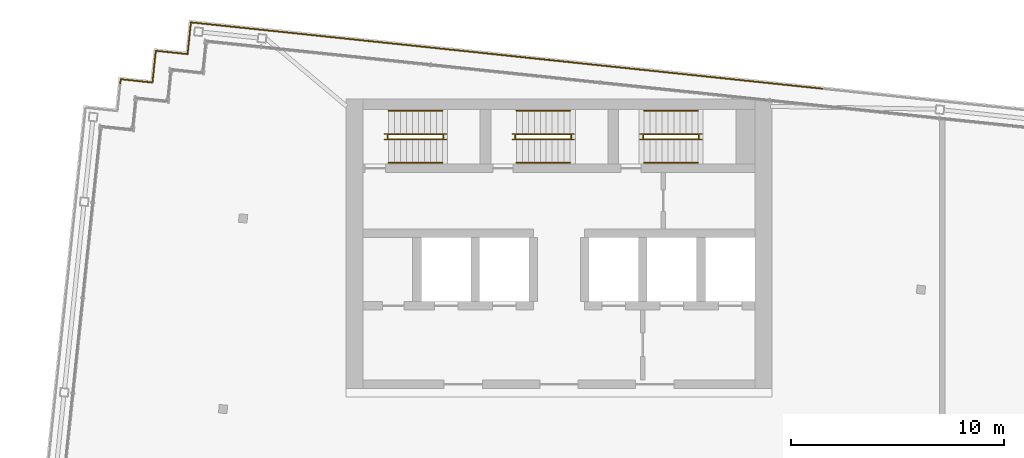
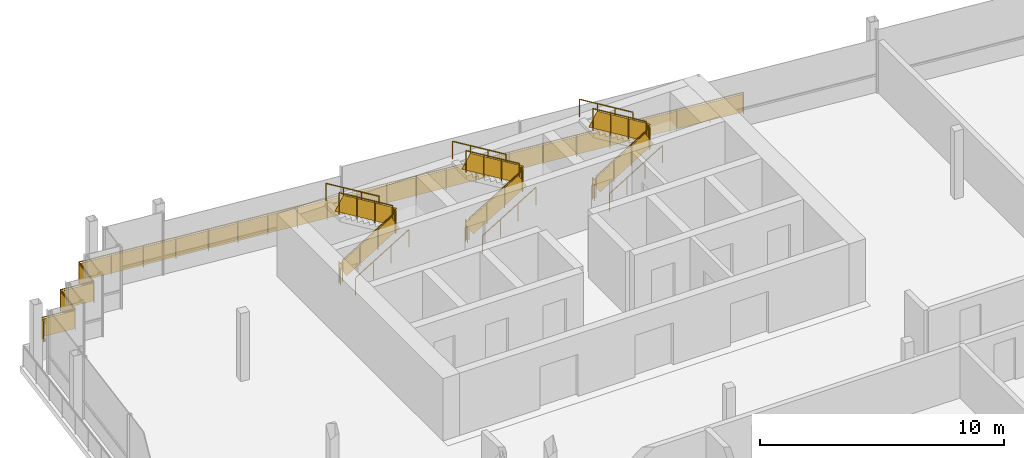
# One storey, part 14 of 15: 21 railings.
"""IFC4 building model written with IfcOpenShell, lengths in metres."""

import ifcopenshell
import ifcopenshell.guid

model = None  # the IFC model being written
_history = None  # IfcOwnerHistory: only IFC2X3 demands one
_inside = {}  # id of a spatial element -> (the spatial element, [elements in it])
_under = {}  # id of a project, library or spatial element -> (it, [spatial elements below it])
_declared = {}  # id of a project -> (the project, [libraries it declares])
_typed = {}  # id of a type object -> (the type object, [elements of that type])
_made_of = {}  # id of a material, layer set ... -> (it, [elements and type objects made of it])


def new_model(schema):
    """Start an empty IFC model of exactly this schema.

    Asked for "IFC4X3", IfcOpenShell would pick the latest addendum, in which some entities
    have other attributes; the version numbers below select the first issue.
    IFC2X3 requires an IfcOwnerHistory on every rooted entity: one is made here for all.
    """
    global model, _history
    if schema == "IFC4X3":
        model = ifcopenshell.file(schema_version=(4, 3, 0, 0))
    else:
        model = ifcopenshell.file(schema=schema)
    _inside.clear()
    _under.clear()
    _declared.clear()
    _typed.clear()
    _made_of.clear()
    _history = None
    if model.schema == "IFC2X3":
        org = make("IfcOrganization", Name="unknown")
        user = make(
            "IfcPersonAndOrganization",
            ThePerson=make("IfcPerson", FamilyName="unknown"),
            TheOrganization=org,
        )
        app = make(
            "IfcApplication",
            ApplicationDeveloper=org,
            Version="unknown",
            ApplicationFullName="unknown",
            ApplicationIdentifier="unknown",
        )
        _history = make(
            "IfcOwnerHistory",
            OwningUser=user,
            OwningApplication=app,
            ChangeAction="ADDED",
            CreationDate=0,
        )
    return model


def make(cls, **values):
    """One entity of the class cls with the attributes given. An attribute that is None is left unset."""
    return model.create_entity(
        cls, **{name: value for name, value in values.items() if value is not None}
    )


def rooted(cls, **values):
    """An entity with a GlobalId (a new one), such as an element, a storey or a relation."""
    return make(cls, GlobalId=ifcopenshell.guid.new(), OwnerHistory=_history, **values)


def si_unit(unit_type, name, prefix=None):
    """IfcSIUnit, for example si_unit("LENGTHUNIT", "METRE", prefix="MILLI")."""
    return make("IfcSIUnit", UnitType=unit_type, Prefix=prefix, Name=name)


def assignment(units):
    """IfcUnitAssignment: the units of a project."""
    return None if units is None else make("IfcUnitAssignment", Units=units)


def point(xyz):
    """IfcCartesianPoint."""
    return None if xyz is None else make("IfcCartesianPoint", Coordinates=xyz)


def direction(xyz):
    """IfcDirection."""
    return None if xyz is None else make("IfcDirection", DirectionRatios=xyz)


def frame(location, z_axis=None, x_axis=None):
    """IfcAxis2Placement3D, a coordinate frame: its origin and axes. An axis left out is left unset."""
    return make(
        "IfcAxis2Placement3D",
        Location=point(location),
        Axis=direction(z_axis),
        RefDirection=direction(x_axis),
    )


def frame_2d(location, x_axis=None):
    """IfcAxis2Placement2D, a coordinate frame in the plane: its origin and x axis."""
    return make(
        "IfcAxis2Placement2D", Location=point(location), RefDirection=direction(x_axis)
    )


def origin():
    """The frame at (0, 0, 0) with its axes left unset."""
    return frame((0.0, 0.0, 0.0))


def origin_2d():
    """The frame at (0, 0) in the plane with its x axis left unset."""
    return frame_2d((0.0, 0.0))


def place(relative_to, where):
    """IfcLocalPlacement: puts the frame where relative to a parent placement (None: the world)."""
    return make(
        "IfcLocalPlacement", PlacementRelTo=relative_to, RelativePlacement=where
    )


def context(
    kind, dimensions, precision=None, world=None, true_north=None, identifier=None
):
    """IfcGeometricRepresentationContext, for example the 3D "Model" context."""
    return make(
        "IfcGeometricRepresentationContext",
        ContextIdentifier=identifier,
        ContextType=kind,
        CoordinateSpaceDimension=dimensions,
        Precision=precision,
        WorldCoordinateSystem=world,
        TrueNorth=true_north,
    )


def subcontext(parent, identifier, kind, view, scale=None):
    """IfcGeometricRepresentationSubContext, for example "Body" below "Model"."""
    return make(
        "IfcGeometricRepresentationSubContext",
        ContextIdentifier=identifier,
        ContextType=kind,
        ParentContext=parent,
        TargetScale=scale,
        TargetView=view,
    )


def project(units=None, contexts=None):
    """IfcProject with its units and contexts."""
    return rooted(
        "IfcProject",
        Name="project",
        RepresentationContexts=contexts,
        UnitsInContext=assignment(units),
    )


def spatial(cls, under=None, at=None, **own):
    """A site, building, storey or space (cls), placed at a placement, below another one or the project."""
    s = rooted(cls, ObjectPlacement=at, **own)
    if under is not None:
        _under.setdefault(under.id(), (under, []))[1].append(s)
    return s


def profile(cls, at=None, kind="AREA", **sizes):
    """A parametric profile (cls). Its sizes go by their IFC names, for example OverallWidth=200.0."""
    return make(cls, ProfileType=kind, Position=at, **sizes)


def rectangle(**sizes):
    """IfcRectangleProfileDef."""
    return profile("IfcRectangleProfileDef", **sizes)


def circle(**sizes):
    """IfcCircleProfileDef."""
    return profile("IfcCircleProfileDef", **sizes)


def extrude(swept, where, along, depth):
    """IfcExtrudedAreaSolid: the profile swept, set in the frame where, extruded along a direction by depth."""
    return make(
        "IfcExtrudedAreaSolid",
        SweptArea=swept,
        Position=where,
        ExtrudedDirection=direction(along),
        Depth=depth,
    )


def shape(context_of_items, identifier, shape_type, items):
    """IfcShapeRepresentation: the items that make up one representation, for example the "Body"."""
    return make(
        "IfcShapeRepresentation",
        ContextOfItems=context_of_items,
        RepresentationIdentifier=identifier,
        RepresentationType=shape_type,
        Items=items,
    )


def material(Name=None, Category=None):
    """IfcMaterial."""
    return make("IfcMaterial", Name=Name, Category=Category)


def made_of(thing, what):
    """Note that an element or type object is made of a material, layer set ...; save() writes the relation."""
    if what is not None:
        _made_of.setdefault(what.id(), (what, []))[1].append(thing)
    return thing


def type_object(cls, material=None, **own):
    """A type object (cls), such as IfcWallType, which elements share."""
    return made_of(rooted(cls, **own), material)


def element(
    cls,
    number,
    at=None,
    inside=None,
    cuts=None,
    type_object=None,
    material=None,
    context=None,
    identifier="Body",
    shape_type=None,
    held_by="IfcProductDefinitionShape",
    body=None,
    shapes=None,
    **own,
):
    """One element of the class cls, such as IfcWall. Its Tag is "e" and its number.

    at: its placement. inside: the storey or other place that contains it. cuts: it is an
    opening in that element (IfcRelVoidsElement). A single representation is given by context,
    identifier, shape_type and body (its items); several are given by shapes. held_by: the class
    of the entity that holds the representations. save() writes the other relations.
    """
    e = rooted(cls, Tag="e%d" % number, ObjectPlacement=at, **own)
    if body is not None:
        shapes = [shape(context, identifier, shape_type, body)]
    if shapes is not None:
        e.Representation = make(held_by, Representations=shapes)
    if inside is not None:
        _inside.setdefault(inside.id(), (inside, []))[1].append(e)
    if cuts is not None:
        rooted(
            "IfcRelVoidsElement", RelatingBuildingElement=cuts, RelatedOpeningElement=e
        )
    if type_object is not None:
        _typed.setdefault(type_object.id(), (type_object, []))[1].append(e)
    return made_of(e, material)


def aggregate(whole, parts):
    """IfcRelAggregates: a whole, such as a stair, and the parts it consists of."""
    return rooted("IfcRelAggregates", RelatingObject=whole, RelatedObjects=parts)


def save(model, path):
    """Write the relations noted so far, then the file.

    IfcRelAggregates (storeys below a building ...), IfcRelContainedInSpatialStructure (elements
    in a storey), IfcRelDefinesByType, IfcRelAssociatesMaterial and IfcRelDeclares: one each for
    every whole, place, type object, material and project.
    """
    for whole, parts in _under.values():
        aggregate(whole, parts)
    for where, things in _inside.values():
        rooted(
            "IfcRelContainedInSpatialStructure",
            RelatedElements=things,
            RelatingStructure=where,
        )
    for kind, things in _typed.values():
        rooted("IfcRelDefinesByType", RelatedObjects=things, RelatingType=kind)
    for what, things in _made_of.values():
        rooted("IfcRelAssociatesMaterial", RelatedObjects=things, RelatingMaterial=what)
    for by, libraries in _declared.values():
        rooted("IfcRelDeclares", RelatingContext=by, RelatedDefinitions=libraries)
    model.write(path)


model = new_model("IFC4")

# Units and contexts
model_context = context("Model", 3, precision=1e-05, world=origin(), true_north=direction((0.0, 1.0)))
body_context = subcontext(model_context, "Body", "Model", "MODEL_VIEW")
ifc_project = project(units=[si_unit("LENGTHUNIT", "METRE"), si_unit("AREAUNIT", "SQUARE_METRE"), si_unit("VOLUMEUNIT", "CUBIC_METRE"), si_unit("PLANEANGLEUNIT", "RADIAN"), si_unit("MASSUNIT", "GRAM", prefix="KILO")], contexts=[model_context])

# Site, building, storey
site_placement = place(None, origin())
site = spatial("IfcSite", under=ifc_project, at=site_placement, CompositionType="ELEMENT")
building_placement = place(site_placement, origin())
building = spatial("IfcBuilding", under=site, at=building_placement, Name="Vidyagriha Tower", CompositionType="ELEMENT")
storey_placement = place(building_placement, frame((0.0, 0.0, 294.89990234375)))
storey = spatial("IfcBuildingStorey", under=building, at=storey_placement, Name="L76", CompositionType="ELEMENT", Elevation=294.89990234375)

# Railings
ifc_material_1 = material(Name="Steel ASTM A500 Grade C black painted", Category="steel")
railing_type_1 = type_object("IfcRailingType", Name="Gallery guard 1100", PredefinedType="GUARDRAIL", material=ifc_material_1)
railing_1_placement = place(storey_placement, frame((-20.600341796875, 20.727783203125, 0.0)))
element("IfcRailing", 1, at=railing_1_placement, inside=storey, type_object=railing_type_1, Name="Gallery guard L76 9", PredefinedType="GUARDRAIL", context=body_context, shape_type="SweptSolid", body=[
    extrude(circle(Radius=0.02490234375, at=origin_2d()), frame((0.0, 0.0, 1.0751953125), z_axis=(0.10506634941, 0.994465214184, 0.0), x_axis=(-0.994465214184, 0.10506634941, 0.0)), (0.0, 0.0, 1.0), 0.199951171875),
    extrude(circle(Radius=0.02490234375, at=origin_2d()), frame((0.02099609375, 0.19873046875, 1.0751953125), z_axis=(0.994525057048, -0.104498377516, 0.0), x_axis=(0.104498377516, 0.994525057048, 0.0)), (0.0, 0.0, 1.0), 1.5),
    extrude(circle(Radius=0.02490234375, at=origin_2d()), frame((1.5126953125, 0.0419921875, 1.0751953125), z_axis=(0.104498377516, 0.994525057048, 0.0), x_axis=(-0.994525057048, 0.104498377516, 0.0)), (0.0, 0.0, 1.0), 1.5),
    extrude(circle(Radius=0.02490234375, at=origin_2d()), frame((1.66943359375, 1.53369140625, 1.0751953125), z_axis=(0.994525057048, -0.104498377516, 0.0), x_axis=(0.104498377516, 0.994525057048, 0.0)), (0.0, 0.0, 1.0), 1.5),
    extrude(circle(Radius=0.02490234375, at=origin_2d()), frame((3.1611328125, 1.376953125, 1.0751953125), z_axis=(0.104659366031, 0.994508128223, 0.0), x_axis=(-0.994508128223, 0.104659366031, 0.0)), (0.0, 0.0, 1.0), 1.5),
    extrude(circle(Radius=0.02490234375, at=origin_2d()), frame((3.318115234375, 2.86865234375, 1.0751953125), z_axis=(0.994523198252, -0.104516066418, 0.0), x_axis=(0.104516066418, 0.994523198252, 0.0)), (0.0, 0.0, 1.0), 5.800048828125),
    extrude(circle(Radius=0.02001953125, at=origin_2d()), origin(), (0.0, 0.0, 1.0), 1.050048828125),
    extrude(circle(Radius=0.02001953125, at=origin_2d()), frame((0.02099609375, 0.19873046875, 0.0)), (0.0, 0.0, 1.0), 1.050048828125),
    extrude(circle(Radius=0.02001953125, at=origin_2d()), frame((1.5126953125, 0.0419921875, 0.0)), (0.0, 0.0, 1.0), 1.050048828125),
    extrude(circle(Radius=0.02001953125, at=origin_2d()), frame((1.66943359375, 1.53369140625, 0.0)), (0.0, 0.0, 1.0), 1.050048828125),
    extrude(circle(Radius=0.02001953125, at=origin_2d()), frame((3.1611328125, 1.376953125, 0.0)), (0.0, 0.0, 1.0), 1.050048828125),
    extrude(circle(Radius=0.02001953125, at=origin_2d()), frame((3.318115234375, 2.86865234375, 0.0)), (0.0, 0.0, 1.0), 1.050048828125),
    extrude(circle(Radius=0.02001953125, at=origin_2d()), frame((4.76025390625, 2.717041015625, 0.0)), (0.0, 0.0, 1.0), 1.050048828125),
    extrude(circle(Radius=0.02001953125, at=origin_2d()), frame((6.2021484375, 2.5654296875, 0.0)), (0.0, 0.0, 1.0), 1.050048828125),
    extrude(circle(Radius=0.02001953125, at=origin_2d()), frame((7.644287109375, 2.4140625, 0.0)), (0.0, 0.0, 1.0), 1.050048828125),
    extrude(circle(Radius=0.02001953125, at=origin_2d()), frame((9.08642578125, 2.262451171875, 0.0)), (0.0, 0.0, 1.0), 1.050048828125),
    extrude(rectangle(XDim=0.010009765625, YDim=0.900146484375, at=origin_2d()), frame((0.0, 0.0, 0.550048828125), z_axis=(0.10506634941, 0.994465214184, 0.0), x_axis=(-0.994465214184, 0.10506634941, 0.0)), (0.0, 0.0, 1.0), 0.199951171875),
    extrude(rectangle(XDim=0.010009765625, YDim=0.900146484375, at=origin_2d()), frame((0.02099609375, 0.19873046875, 0.550048828125), z_axis=(0.994525057048, -0.104498377516, 0.0), x_axis=(0.104498377516, 0.994525057048, 0.0)), (0.0, 0.0, 1.0), 1.5),
    extrude(rectangle(XDim=0.010009765625, YDim=0.900146484375, at=origin_2d()), frame((1.5126953125, 0.0419921875, 0.550048828125), z_axis=(0.104498377516, 0.994525057048, 0.0), x_axis=(-0.994525057048, 0.104498377516, 0.0)), (0.0, 0.0, 1.0), 1.5),
    extrude(rectangle(XDim=0.010009765625, YDim=0.900146484375, at=origin_2d()), frame((1.66943359375, 1.53369140625, 0.550048828125), z_axis=(0.994525057048, -0.104498377516, 0.0), x_axis=(0.104498377516, 0.994525057048, 0.0)), (0.0, 0.0, 1.0), 1.5),
    extrude(rectangle(XDim=0.010009765625, YDim=0.900146484375, at=origin_2d()), frame((3.1611328125, 1.376953125, 0.550048828125), z_axis=(0.104659366031, 0.994508128223, 0.0), x_axis=(-0.994508128223, 0.104659366031, 0.0)), (0.0, 0.0, 1.0), 1.5),
    extrude(rectangle(XDim=0.010009765625, YDim=0.900146484375, at=origin_2d()), frame((3.318115234375, 2.86865234375, 0.550048828125), z_axis=(0.994523198252, -0.104516066418, 0.0), x_axis=(0.104516066418, 0.994523198252, 0.0)), (0.0, 0.0, 1.0), 5.800048828125),
])
railing_2_placement = place(storey_placement, frame((-11.513916015625, 22.990234375, 0.0)))
element("IfcRailing", 2, at=railing_2_placement, inside=storey, type_object=railing_type_1, Name="Gallery guard L76 10", PredefinedType="GUARDRAIL", context=body_context, shape_type="SweptSolid", body=[
    extrude(circle(Radius=0.02490234375, at=origin_2d()), frame((0.0, 0.0, 1.0751953125), z_axis=(0.994521494219, -0.104532279878, 0.0), x_axis=(0.104532279878, 0.994521494219, 0.0)), (0.0, 0.0, 1.0), 12.0),
    extrude(circle(Radius=0.02001953125, at=origin_2d()), origin(), (0.0, 0.0, 1.0), 1.050048828125),
    extrude(circle(Radius=0.02001953125, at=origin_2d()), frame((1.325927734375, -0.139404296875, 0.0)), (0.0, 0.0, 1.0), 1.050048828125),
    extrude(circle(Radius=0.02001953125, at=origin_2d()), frame((2.652099609375, -0.27880859375, 0.0)), (0.0, 0.0, 1.0), 1.050048828125),
    extrude(circle(Radius=0.02001953125, at=origin_2d()), frame((3.97802734375, -0.418212890625, 0.0)), (0.0, 0.0, 1.0), 1.050048828125),
    extrude(circle(Radius=0.02001953125, at=origin_2d()), frame((5.30419921875, -0.5576171875, 0.0)), (0.0, 0.0, 1.0), 1.050048828125),
    extrude(circle(Radius=0.02001953125, at=origin_2d()), frame((6.630126953125, -0.69677734375, 0.0)), (0.0, 0.0, 1.0), 1.050048828125),
    extrude(circle(Radius=0.02001953125, at=origin_2d()), frame((7.956298828125, -0.836181640625, 0.0)), (0.0, 0.0, 1.0), 1.050048828125),
    extrude(circle(Radius=0.02001953125, at=origin_2d()), frame((9.2822265625, -0.9755859375, 0.0)), (0.0, 0.0, 1.0), 1.050048828125),
    extrude(circle(Radius=0.02001953125, at=origin_2d()), frame((10.6083984375, -1.114990234375, 0.0)), (0.0, 0.0, 1.0), 1.050048828125),
    extrude(circle(Radius=0.02001953125, at=origin_2d()), frame((11.934326171875, -1.25439453125, 0.0)), (0.0, 0.0, 1.0), 1.050048828125),
    extrude(rectangle(XDim=0.010009765625, YDim=0.900146484375, at=origin_2d()), frame((0.0, 0.0, 0.550048828125), z_axis=(0.994521494219, -0.104532279878, 0.0), x_axis=(0.104532279878, 0.994521494219, 0.0)), (0.0, 0.0, 1.0), 12.0),
])
railing_3_placement = place(storey_placement, frame((0.42041015625, 21.73583984375, 0.0)))
element("IfcRailing", 3, at=railing_3_placement, inside=storey, type_object=railing_type_1, Name="Gallery guard L76 11", PredefinedType="GUARDRAIL", context=body_context, shape_type="SweptSolid", body=[
    extrude(circle(Radius=0.02490234375, at=origin_2d()), frame((0.0, 0.0, 1.0751953125), z_axis=(0.994523386841, -0.104514271883, 0.0), x_axis=(0.104514271883, 0.994523386841, 0.0)), (0.0, 0.0, 1.0), 11.999755859375),
    extrude(circle(Radius=0.02001953125, at=origin_2d()), origin(), (0.0, 0.0, 1.0), 1.050048828125),
    extrude(circle(Radius=0.02001953125, at=origin_2d()), frame((1.49169921875, -0.15673828125, 0.0)), (0.0, 0.0, 1.0), 1.050048828125),
    extrude(circle(Radius=0.02001953125, at=origin_2d()), frame((2.9833984375, -0.3134765625, 0.0)), (0.0, 0.0, 1.0), 1.050048828125),
    extrude(circle(Radius=0.02001953125, at=origin_2d()), frame((4.475341796875, -0.47021484375, 0.0)), (0.0, 0.0, 1.0), 1.050048828125),
    extrude(circle(Radius=0.02001953125, at=origin_2d()), frame((5.967041015625, -0.626953125, 0.0)), (0.0, 0.0, 1.0), 1.050048828125),
    extrude(circle(Radius=0.02001953125, at=origin_2d()), frame((7.458740234375, -0.783935546875, 0.0)), (0.0, 0.0, 1.0), 1.050048828125),
    extrude(circle(Radius=0.02001953125, at=origin_2d()), frame((8.95068359375, -0.940673828125, 0.0)), (0.0, 0.0, 1.0), 1.050048828125),
    extrude(circle(Radius=0.02001953125, at=origin_2d()), frame((10.4423828125, -1.097412109375, 0.0)), (0.0, 0.0, 1.0), 1.050048828125),
    extrude(circle(Radius=0.02001953125, at=origin_2d()), frame((11.93408203125, -1.254150390625, 0.0)), (0.0, 0.0, 1.0), 1.050048828125),
    extrude(rectangle(XDim=0.010009765625, YDim=0.900146484375, at=origin_2d()), frame((0.0, 0.0, 0.550048828125), z_axis=(0.994523386841, -0.104514271883, 0.0), x_axis=(0.104514271883, 0.994523386841, 0.0)), (0.0, 0.0, 1.0), 11.999755859375),
])
ifc_material_2 = material(Name="Steel ASTM A500 Grade C", Category="steel")
railing_type_2 = type_object("IfcRailingType", Name="Stair guard 1100 mm, steel balustrade", PredefinedType="GUARDRAIL", material=ifc_material_2)
railing_4_placement = place(storey_placement, frame((-8.0, 18.10009765625, 0.170166015625)))
element("IfcRailing", 4, at=railing_4_placement, inside=storey, type_object=railing_type_2, Name="L76 ST1 stair guard 1", PredefinedType="GUARDRAIL", context=body_context, shape_type="SweptSolid", body=[
    extrude(circle(Radius=0.02392578125, at=origin_2d()), frame((0.0, 0.0, 1.076171875), z_axis=(0.85478489116, 0.0, 0.518982456201), x_axis=(0.0, 1.0, 0.0)), (0.0, 0.0, 1.0), 2.9482421875),
    extrude(circle(Radius=0.02099609375, at=origin_2d()), origin(), (0.0, 0.0, 1.0), 1.052001953125),
    extrude(circle(Radius=0.02099609375, at=origin_2d()), frame((0.840087890625, 0.0, 0.510009765625)), (0.0, 0.0, 1.0), 1.052001953125),
    extrude(circle(Radius=0.02099609375, at=origin_2d()), frame((1.679931640625, 0.0, 1.02001953125)), (0.0, 0.0, 1.0), 1.052001953125),
    extrude(circle(Radius=0.02099609375, at=origin_2d()), frame((2.52001953125, 0.0, 1.530029296875)), (0.0, 0.0, 1.0), 1.052001953125),
    extrude(rectangle(XDim=0.010009765625, YDim=0.77099609375, at=origin_2d()), frame((0.0, 0.0, 0.551025390625), z_axis=(0.85478489116, 0.0, 0.518982456201), x_axis=(0.0, 1.0, 0.0)), (0.0, 0.0, 1.0), 2.9482421875),
])
railing_5_placement = place(storey_placement, frame((-5.429931640625, 18.14990234375, 1.7001953125)))
element("IfcRailing", 5, at=railing_5_placement, inside=storey, type_object=railing_type_2, Name="L76 ST1 stair guard 2", PredefinedType="GUARDRAIL", context=body_context, shape_type="SweptSolid", body=[
    extrude(circle(Radius=0.02392578125, at=origin_2d()), frame((0.0, 0.0, 1.076171875), z_axis=(0.0, 1.0, 0.0), x_axis=(-1.0, 0.0, 0.0)), (0.0, 0.0, 1.0), 0.150146484375),
    extrude(circle(Radius=0.02099609375, at=origin_2d()), origin(), (0.0, 0.0, 1.0), 1.052001953125),
    extrude(circle(Radius=0.02099609375, at=origin_2d()), frame((0.0, 0.150146484375, 0.0)), (0.0, 0.0, 1.0), 1.052001953125),
    extrude(rectangle(XDim=0.010009765625, YDim=0.902099609375, at=origin_2d()), frame((0.0, 0.0, 0.551025390625), z_axis=(0.0, 1.0, 0.0), x_axis=(-1.0, 0.0, 0.0)), (0.0, 0.0, 1.0), 0.150146484375),
])
railing_6_placement = place(storey_placement, frame((-5.47998046875, 18.35009765625, 1.8701171875)))
element("IfcRailing", 6, at=railing_6_placement, inside=storey, type_object=railing_type_2, Name="L76 ST1 stair guard 3", PredefinedType="GUARDRAIL", context=body_context, shape_type="SweptSolid", body=[
    extrude(circle(Radius=0.02392578125, at=origin_2d()), frame((0.0, 0.0, 1.076171875), z_axis=(-0.85478489116, 0.0, 0.518982456201), x_axis=(0.0, -1.0, 0.0)), (0.0, 0.0, 1.0), 2.9482421875),
    extrude(circle(Radius=0.02099609375, at=origin_2d()), origin(), (0.0, 0.0, 1.0), 1.052001953125),
    extrude(circle(Radius=0.02099609375, at=origin_2d()), frame((-0.840087890625, 0.0, 0.510009765625)), (0.0, 0.0, 1.0), 1.052001953125),
    extrude(circle(Radius=0.02099609375, at=origin_2d()), frame((-1.679931640625, 0.0, 1.02001953125)), (0.0, 0.0, 1.0), 1.052001953125),
    extrude(circle(Radius=0.02099609375, at=origin_2d()), frame((-2.52001953125, 0.0, 1.530029296875)), (0.0, 0.0, 1.0), 1.052001953125),
    extrude(rectangle(XDim=0.010009765625, YDim=0.77099609375, at=origin_2d()), frame((0.0, 0.0, 0.551025390625), z_axis=(-0.85478489116, 0.0, 0.518982456201), x_axis=(0.0, -1.0, 0.0)), (0.0, 0.0, 1.0), 2.9482421875),
])
railing_7_placement = place(storey_placement, frame((-8.050048828125, 18.14990234375, 0.0)))
element("IfcRailing", 7, at=railing_7_placement, inside=storey, type_object=railing_type_2, Name="L76 ST1 stair guard 4", PredefinedType="GUARDRAIL", context=body_context, shape_type="SweptSolid", body=[
    extrude(circle(Radius=0.02392578125, at=origin_2d()), frame((0.0, 0.0, 1.076171875), z_axis=(0.0, 1.0, 0.0), x_axis=(-1.0, 0.0, 0.0)), (0.0, 0.0, 1.0), 0.150146484375),
    extrude(circle(Radius=0.02099609375, at=origin_2d()), origin(), (0.0, 0.0, 1.0), 1.052001953125),
    extrude(circle(Radius=0.02099609375, at=origin_2d()), frame((0.0, 0.150146484375, 0.0)), (0.0, 0.0, 1.0), 1.052001953125),
    extrude(rectangle(XDim=0.010009765625, YDim=0.902099609375, at=origin_2d()), frame((0.0, 0.0, 0.551025390625), z_axis=(0.0, 1.0, 0.0), x_axis=(-1.0, 0.0, 0.0)), (0.0, 0.0, 1.0), 0.150146484375),
])
railing_8_placement = place(storey_placement, frame((-2.0, 18.10009765625, 0.170166015625)))
element("IfcRailing", 8, at=railing_8_placement, inside=storey, type_object=railing_type_2, Name="L76 ST2 stair guard 1", PredefinedType="GUARDRAIL", context=body_context, shape_type="SweptSolid", body=[
    extrude(circle(Radius=0.02392578125, at=origin_2d()), frame((0.0, 0.0, 1.076171875), z_axis=(0.85478489116, 0.0, 0.518982456201), x_axis=(0.0, 1.0, 0.0)), (0.0, 0.0, 1.0), 2.9482421875),
    extrude(circle(Radius=0.02099609375, at=origin_2d()), origin(), (0.0, 0.0, 1.0), 1.052001953125),
    extrude(circle(Radius=0.02099609375, at=origin_2d()), frame((0.840087890625, 0.0, 0.510009765625)), (0.0, 0.0, 1.0), 1.052001953125),
    extrude(circle(Radius=0.02099609375, at=origin_2d()), frame((1.679931640625, 0.0, 1.02001953125)), (0.0, 0.0, 1.0), 1.052001953125),
    extrude(circle(Radius=0.02099609375, at=origin_2d()), frame((2.52001953125, 0.0, 1.530029296875)), (0.0, 0.0, 1.0), 1.052001953125),
    extrude(rectangle(XDim=0.010009765625, YDim=0.77099609375, at=origin_2d()), frame((0.0, 0.0, 0.551025390625), z_axis=(0.85478489116, 0.0, 0.518982456201), x_axis=(0.0, 1.0, 0.0)), (0.0, 0.0, 1.0), 2.9482421875),
])
railing_9_placement = place(storey_placement, frame((0.570068359375, 18.14990234375, 1.7001953125)))
element("IfcRailing", 9, at=railing_9_placement, inside=storey, type_object=railing_type_2, Name="L76 ST2 stair guard 2", PredefinedType="GUARDRAIL", context=body_context, shape_type="SweptSolid", body=[
    extrude(circle(Radius=0.02392578125, at=origin_2d()), frame((0.0, 0.0, 1.076171875), z_axis=(0.0, 1.0, 0.0), x_axis=(-1.0, 0.0, 0.0)), (0.0, 0.0, 1.0), 0.150146484375),
    extrude(circle(Radius=0.02099609375, at=origin_2d()), origin(), (0.0, 0.0, 1.0), 1.052001953125),
    extrude(circle(Radius=0.02099609375, at=origin_2d()), frame((0.0, 0.150146484375, 0.0)), (0.0, 0.0, 1.0), 1.052001953125),
    extrude(rectangle(XDim=0.010009765625, YDim=0.902099609375, at=origin_2d()), frame((0.0, 0.0, 0.551025390625), z_axis=(0.0, 1.0, 0.0), x_axis=(-1.0, 0.0, 0.0)), (0.0, 0.0, 1.0), 0.150146484375),
])
railing_10_placement = place(storey_placement, frame((0.52001953125, 18.35009765625, 1.8701171875)))
element("IfcRailing", 10, at=railing_10_placement, inside=storey, type_object=railing_type_2, Name="L76 ST2 stair guard 3", PredefinedType="GUARDRAIL", context=body_context, shape_type="SweptSolid", body=[
    extrude(circle(Radius=0.02392578125, at=origin_2d()), frame((0.0, 0.0, 1.076171875), z_axis=(-0.85478489116, 0.0, 0.518982456201), x_axis=(0.0, -1.0, 0.0)), (0.0, 0.0, 1.0), 2.9482421875),
    extrude(circle(Radius=0.02099609375, at=origin_2d()), origin(), (0.0, 0.0, 1.0), 1.052001953125),
    extrude(circle(Radius=0.02099609375, at=origin_2d()), frame((-0.840087890625, 0.0, 0.510009765625)), (0.0, 0.0, 1.0), 1.052001953125),
    extrude(circle(Radius=0.02099609375, at=origin_2d()), frame((-1.679931640625, 0.0, 1.02001953125)), (0.0, 0.0, 1.0), 1.052001953125),
    extrude(circle(Radius=0.02099609375, at=origin_2d()), frame((-2.52001953125, 0.0, 1.530029296875)), (0.0, 0.0, 1.0), 1.052001953125),
    extrude(rectangle(XDim=0.010009765625, YDim=0.77099609375, at=origin_2d()), frame((0.0, 0.0, 0.551025390625), z_axis=(-0.85478489116, 0.0, 0.518982456201), x_axis=(0.0, -1.0, 0.0)), (0.0, 0.0, 1.0), 2.9482421875),
])
railing_11_placement = place(storey_placement, frame((-2.050048828125, 18.14990234375, 0.0)))
element("IfcRailing", 11, at=railing_11_placement, inside=storey, type_object=railing_type_2, Name="L76 ST2 stair guard 4", PredefinedType="GUARDRAIL", context=body_context, shape_type="SweptSolid", body=[
    extrude(circle(Radius=0.02392578125, at=origin_2d()), frame((0.0, 0.0, 1.076171875), z_axis=(0.0, 1.0, 0.0), x_axis=(-1.0, 0.0, 0.0)), (0.0, 0.0, 1.0), 0.150146484375),
    extrude(circle(Radius=0.02099609375, at=origin_2d()), origin(), (0.0, 0.0, 1.0), 1.052001953125),
    extrude(circle(Radius=0.02099609375, at=origin_2d()), frame((0.0, 0.150146484375, 0.0)), (0.0, 0.0, 1.0), 1.052001953125),
    extrude(rectangle(XDim=0.010009765625, YDim=0.902099609375, at=origin_2d()), frame((0.0, 0.0, 0.551025390625), z_axis=(0.0, 1.0, 0.0), x_axis=(-1.0, 0.0, 0.0)), (0.0, 0.0, 1.0), 0.150146484375),
])
railing_12_placement = place(storey_placement, frame((4.0, 18.10009765625, 0.170166015625)))
element("IfcRailing", 12, at=railing_12_placement, inside=storey, type_object=railing_type_2, Name="L76 ST3 stair guard 1", PredefinedType="GUARDRAIL", context=body_context, shape_type="SweptSolid", body=[
    extrude(circle(Radius=0.02392578125, at=origin_2d()), frame((0.0, 0.0, 1.076171875), z_axis=(0.85478489116, 0.0, 0.518982456201), x_axis=(0.0, 1.0, 0.0)), (0.0, 0.0, 1.0), 2.9482421875),
    extrude(circle(Radius=0.02099609375, at=origin_2d()), origin(), (0.0, 0.0, 1.0), 1.052001953125),
    extrude(circle(Radius=0.02099609375, at=origin_2d()), frame((0.840087890625, 0.0, 0.510009765625)), (0.0, 0.0, 1.0), 1.052001953125),
    extrude(circle(Radius=0.02099609375, at=origin_2d()), frame((1.679931640625, 0.0, 1.02001953125)), (0.0, 0.0, 1.0), 1.052001953125),
    extrude(circle(Radius=0.02099609375, at=origin_2d()), frame((2.52001953125, 0.0, 1.530029296875)), (0.0, 0.0, 1.0), 1.052001953125),
    extrude(rectangle(XDim=0.010009765625, YDim=0.77099609375, at=origin_2d()), frame((0.0, 0.0, 0.551025390625), z_axis=(0.85478489116, 0.0, 0.518982456201), x_axis=(0.0, 1.0, 0.0)), (0.0, 0.0, 1.0), 2.9482421875),
])
railing_13_placement = place(storey_placement, frame((6.570068359375, 18.14990234375, 1.7001953125)))
element("IfcRailing", 13, at=railing_13_placement, inside=storey, type_object=railing_type_2, Name="L76 ST3 stair guard 2", PredefinedType="GUARDRAIL", context=body_context, shape_type="SweptSolid", body=[
    extrude(circle(Radius=0.02392578125, at=origin_2d()), frame((0.0, 0.0, 1.076171875), z_axis=(0.0, 1.0, 0.0), x_axis=(-1.0, 0.0, 0.0)), (0.0, 0.0, 1.0), 0.150146484375),
    extrude(circle(Radius=0.02099609375, at=origin_2d()), origin(), (0.0, 0.0, 1.0), 1.052001953125),
    extrude(circle(Radius=0.02099609375, at=origin_2d()), frame((0.0, 0.150146484375, 0.0)), (0.0, 0.0, 1.0), 1.052001953125),
    extrude(rectangle(XDim=0.010009765625, YDim=0.902099609375, at=origin_2d()), frame((0.0, 0.0, 0.551025390625), z_axis=(0.0, 1.0, 0.0), x_axis=(-1.0, 0.0, 0.0)), (0.0, 0.0, 1.0), 0.150146484375),
])
railing_14_placement = place(storey_placement, frame((6.52001953125, 18.35009765625, 1.8701171875)))
element("IfcRailing", 14, at=railing_14_placement, inside=storey, type_object=railing_type_2, Name="L76 ST3 stair guard 3", PredefinedType="GUARDRAIL", context=body_context, shape_type="SweptSolid", body=[
    extrude(circle(Radius=0.02392578125, at=origin_2d()), frame((0.0, 0.0, 1.076171875), z_axis=(-0.85478489116, 0.0, 0.518982456201), x_axis=(0.0, -1.0, 0.0)), (0.0, 0.0, 1.0), 2.9482421875),
    extrude(circle(Radius=0.02099609375, at=origin_2d()), origin(), (0.0, 0.0, 1.0), 1.052001953125),
    extrude(circle(Radius=0.02099609375, at=origin_2d()), frame((-0.840087890625, 0.0, 0.510009765625)), (0.0, 0.0, 1.0), 1.052001953125),
    extrude(circle(Radius=0.02099609375, at=origin_2d()), frame((-1.679931640625, 0.0, 1.02001953125)), (0.0, 0.0, 1.0), 1.052001953125),
    extrude(circle(Radius=0.02099609375, at=origin_2d()), frame((-2.52001953125, 0.0, 1.530029296875)), (0.0, 0.0, 1.0), 1.052001953125),
    extrude(rectangle(XDim=0.010009765625, YDim=0.77099609375, at=origin_2d()), frame((0.0, 0.0, 0.551025390625), z_axis=(-0.85478489116, 0.0, 0.518982456201), x_axis=(0.0, -1.0, 0.0)), (0.0, 0.0, 1.0), 2.9482421875),
])
railing_15_placement = place(storey_placement, frame((3.949951171875, 18.14990234375, 0.0)))
element("IfcRailing", 15, at=railing_15_placement, inside=storey, type_object=railing_type_2, Name="L76 ST3 stair guard 4", PredefinedType="GUARDRAIL", context=body_context, shape_type="SweptSolid", body=[
    extrude(circle(Radius=0.02392578125, at=origin_2d()), frame((0.0, 0.0, 1.076171875), z_axis=(0.0, 1.0, 0.0), x_axis=(-1.0, 0.0, 0.0)), (0.0, 0.0, 1.0), 0.150146484375),
    extrude(circle(Radius=0.02099609375, at=origin_2d()), origin(), (0.0, 0.0, 1.0), 1.052001953125),
    extrude(circle(Radius=0.02099609375, at=origin_2d()), frame((0.0, 0.150146484375, 0.0)), (0.0, 0.0, 1.0), 1.052001953125),
    extrude(rectangle(XDim=0.010009765625, YDim=0.902099609375, at=origin_2d()), frame((0.0, 0.0, 0.551025390625), z_axis=(0.0, 1.0, 0.0), x_axis=(-1.0, 0.0, 0.0)), (0.0, 0.0, 1.0), 0.150146484375),
])
ifc_material_3 = material(Name="Steel ASTM A500 Grade C", Category="steel")
railing_type_3 = type_object("IfcRailingType", Name="Stair handrail 900 mm, steel", PredefinedType="HANDRAIL", material=ifc_material_3)
railing_16_placement = place(storey_placement, frame((-8.0, 17.0, 0.170166015625)))
element("IfcRailing", 16, at=railing_16_placement, inside=storey, type_object=railing_type_3, Name="L76 ST1 stair handrail 1", PredefinedType="HANDRAIL", context=body_context, shape_type="SweptSolid", body=[
    extrude(circle(Radius=0.02392578125, at=origin_2d()), frame((0.0, 0.0, 0.8759765625), z_axis=(0.85478489116, 0.0, 0.518982456201), x_axis=(0.0, 1.0, 0.0)), (0.0, 0.0, 1.0), 2.9482421875),
    extrude(circle(Radius=0.02099609375, at=origin_2d()), origin(), (0.0, 0.0, 1.0), 0.851806640625),
    extrude(circle(Radius=0.02099609375, at=origin_2d()), frame((0.840087890625, 0.0, 0.510009765625)), (0.0, 0.0, 1.0), 0.851806640625),
    extrude(circle(Radius=0.02099609375, at=origin_2d()), frame((1.679931640625, 0.0, 1.02001953125)), (0.0, 0.0, 1.0), 0.851806640625),
    extrude(circle(Radius=0.02099609375, at=origin_2d()), frame((2.52001953125, 0.0, 1.530029296875)), (0.0, 0.0, 1.0), 0.851806640625),
])
railing_17_placement = place(storey_placement, frame((-5.47998046875, 19.449951171875, 1.8701171875)))
element("IfcRailing", 17, at=railing_17_placement, inside=storey, type_object=railing_type_3, Name="L76 ST1 stair handrail 2", PredefinedType="HANDRAIL", context=body_context, shape_type="SweptSolid", body=[
    extrude(circle(Radius=0.02392578125, at=origin_2d()), frame((0.0, 0.0, 0.8759765625), z_axis=(-0.85478489116, 0.0, 0.518982456201), x_axis=(0.0, -1.0, 0.0)), (0.0, 0.0, 1.0), 2.9482421875),
    extrude(circle(Radius=0.02099609375, at=origin_2d()), origin(), (0.0, 0.0, 1.0), 0.851806640625),
    extrude(circle(Radius=0.02099609375, at=origin_2d()), frame((-0.840087890625, 0.0, 0.510009765625)), (0.0, 0.0, 1.0), 0.851806640625),
    extrude(circle(Radius=0.02099609375, at=origin_2d()), frame((-1.679931640625, 0.0, 1.02001953125)), (0.0, 0.0, 1.0), 0.851806640625),
    extrude(circle(Radius=0.02099609375, at=origin_2d()), frame((-2.52001953125, 0.0, 1.530029296875)), (0.0, 0.0, 1.0), 0.851806640625),
])
railing_18_placement = place(storey_placement, frame((-2.0, 17.0, 0.170166015625)))
element("IfcRailing", 18, at=railing_18_placement, inside=storey, type_object=railing_type_3, Name="L76 ST2 stair handrail 1", PredefinedType="HANDRAIL", context=body_context, shape_type="SweptSolid", body=[
    extrude(circle(Radius=0.02392578125, at=origin_2d()), frame((0.0, 0.0, 0.8759765625), z_axis=(0.85478489116, 0.0, 0.518982456201), x_axis=(0.0, 1.0, 0.0)), (0.0, 0.0, 1.0), 2.9482421875),
    extrude(circle(Radius=0.02099609375, at=origin_2d()), origin(), (0.0, 0.0, 1.0), 0.851806640625),
    extrude(circle(Radius=0.02099609375, at=origin_2d()), frame((0.840087890625, 0.0, 0.510009765625)), (0.0, 0.0, 1.0), 0.851806640625),
    extrude(circle(Radius=0.02099609375, at=origin_2d()), frame((1.679931640625, 0.0, 1.02001953125)), (0.0, 0.0, 1.0), 0.851806640625),
    extrude(circle(Radius=0.02099609375, at=origin_2d()), frame((2.52001953125, 0.0, 1.530029296875)), (0.0, 0.0, 1.0), 0.851806640625),
])
railing_19_placement = place(storey_placement, frame((0.52001953125, 19.449951171875, 1.8701171875)))
element("IfcRailing", 19, at=railing_19_placement, inside=storey, type_object=railing_type_3, Name="L76 ST2 stair handrail 2", PredefinedType="HANDRAIL", context=body_context, shape_type="SweptSolid", body=[
    extrude(circle(Radius=0.02392578125, at=origin_2d()), frame((0.0, 0.0, 0.8759765625), z_axis=(-0.85478489116, 0.0, 0.518982456201), x_axis=(0.0, -1.0, 0.0)), (0.0, 0.0, 1.0), 2.9482421875),
    extrude(circle(Radius=0.02099609375, at=origin_2d()), origin(), (0.0, 0.0, 1.0), 0.851806640625),
    extrude(circle(Radius=0.02099609375, at=origin_2d()), frame((-0.840087890625, 0.0, 0.510009765625)), (0.0, 0.0, 1.0), 0.851806640625),
    extrude(circle(Radius=0.02099609375, at=origin_2d()), frame((-1.679931640625, 0.0, 1.02001953125)), (0.0, 0.0, 1.0), 0.851806640625),
    extrude(circle(Radius=0.02099609375, at=origin_2d()), frame((-2.52001953125, 0.0, 1.530029296875)), (0.0, 0.0, 1.0), 0.851806640625),
])
railing_20_placement = place(storey_placement, frame((4.0, 17.0, 0.170166015625)))
element("IfcRailing", 20, at=railing_20_placement, inside=storey, type_object=railing_type_3, Name="L76 ST3 stair handrail 1", PredefinedType="HANDRAIL", context=body_context, shape_type="SweptSolid", body=[
    extrude(circle(Radius=0.02392578125, at=origin_2d()), frame((0.0, 0.0, 0.8759765625), z_axis=(0.85478489116, 0.0, 0.518982456201), x_axis=(0.0, 1.0, 0.0)), (0.0, 0.0, 1.0), 2.9482421875),
    extrude(circle(Radius=0.02099609375, at=origin_2d()), origin(), (0.0, 0.0, 1.0), 0.851806640625),
    extrude(circle(Radius=0.02099609375, at=origin_2d()), frame((0.840087890625, 0.0, 0.510009765625)), (0.0, 0.0, 1.0), 0.851806640625),
    extrude(circle(Radius=0.02099609375, at=origin_2d()), frame((1.679931640625, 0.0, 1.02001953125)), (0.0, 0.0, 1.0), 0.851806640625),
    extrude(circle(Radius=0.02099609375, at=origin_2d()), frame((2.52001953125, 0.0, 1.530029296875)), (0.0, 0.0, 1.0), 0.851806640625),
])
railing_21_placement = place(storey_placement, frame((6.52001953125, 19.449951171875, 1.8701171875)))
element("IfcRailing", 21, at=railing_21_placement, inside=storey, type_object=railing_type_3, Name="L76 ST3 stair handrail 2", PredefinedType="HANDRAIL", context=body_context, shape_type="SweptSolid", body=[
    extrude(circle(Radius=0.02392578125, at=origin_2d()), frame((0.0, 0.0, 0.8759765625), z_axis=(-0.85478489116, 0.0, 0.518982456201), x_axis=(0.0, -1.0, 0.0)), (0.0, 0.0, 1.0), 2.9482421875),
    extrude(circle(Radius=0.02099609375, at=origin_2d()), origin(), (0.0, 0.0, 1.0), 0.851806640625),
    extrude(circle(Radius=0.02099609375, at=origin_2d()), frame((-0.840087890625, 0.0, 0.510009765625)), (0.0, 0.0, 1.0), 0.851806640625),
    extrude(circle(Radius=0.02099609375, at=origin_2d()), frame((-1.679931640625, 0.0, 1.02001953125)), (0.0, 0.0, 1.0), 0.851806640625),
    extrude(circle(Radius=0.02099609375, at=origin_2d()), frame((-2.52001953125, 0.0, 1.530029296875)), (0.0, 0.0, 1.0), 0.851806640625),
])

save(model, "model.ifc")
